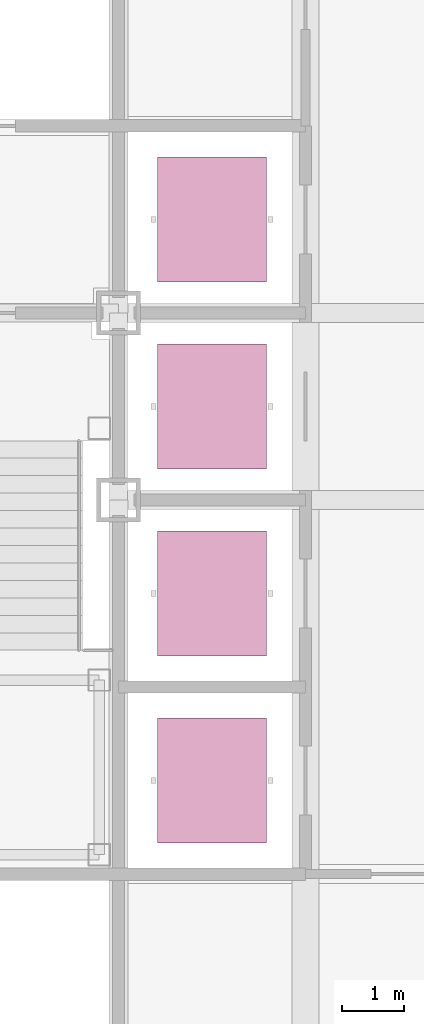
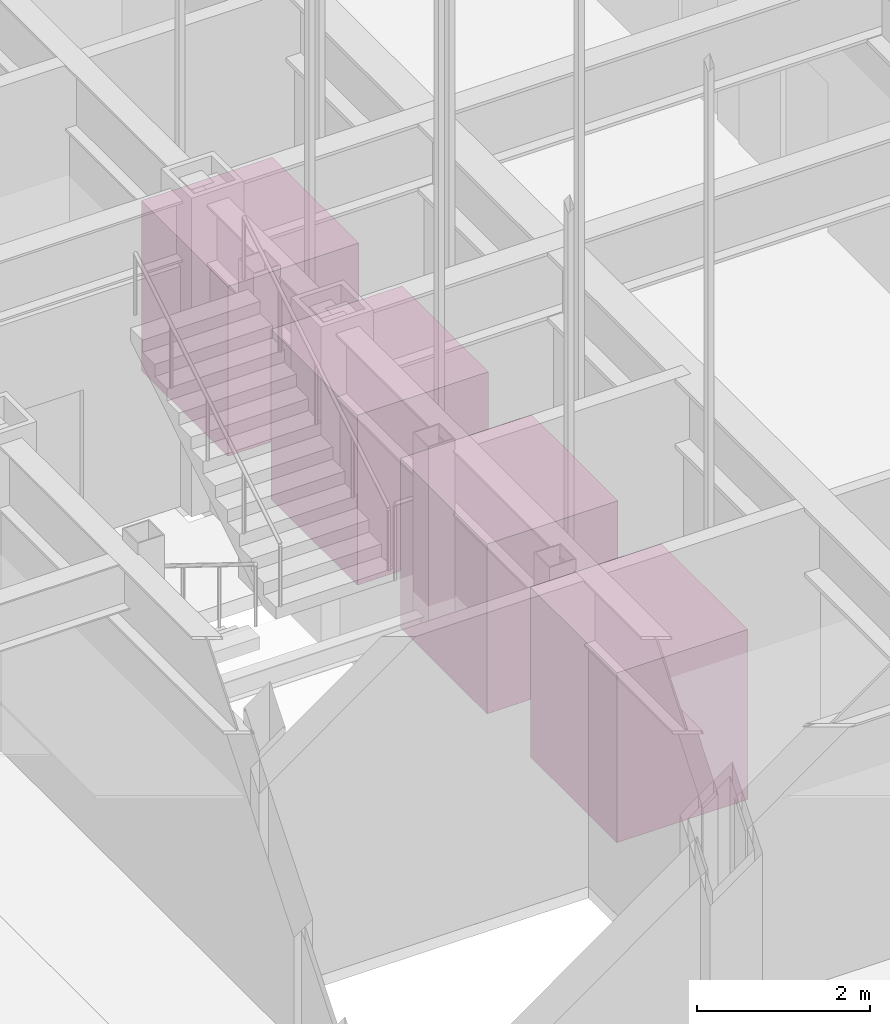
# One storey, part 18 of 26: 4 transport elements.
"""IFC4 building model written with IfcOpenShell, lengths in metres."""

from ifc_helpers import new_model, si_unit, direction, frame, origin, origin_2d, place, context, subcontext, project, spatial, rectangle, extrude, material, type_object, element, save


model = new_model("IFC4")

# Units and contexts
model_context = context("Model", 3, precision=1e-05, world=origin(), true_north=direction((0.0, 1.0)))
body_context = subcontext(model_context, "Body", "Model", "MODEL_VIEW")
ifc_project = project(units=[si_unit("LENGTHUNIT", "METRE"), si_unit("AREAUNIT", "SQUARE_METRE"), si_unit("VOLUMEUNIT", "CUBIC_METRE"), si_unit("PLANEANGLEUNIT", "RADIAN"), si_unit("MASSUNIT", "GRAM", prefix="KILO")], contexts=[model_context])

# Site, building, storey
site_placement = place(None, origin())
site = spatial("IfcSite", under=ifc_project, at=site_placement, CompositionType="ELEMENT")
building_placement = place(site_placement, origin())
building = spatial("IfcBuilding", under=site, at=building_placement, Name="Chuquiago Exchange Tower", CompositionType="ELEMENT")
storey_placement = place(building_placement, frame((0.0, 0.0, 102.300048828125)))
storey = spatial("IfcBuildingStorey", under=building, at=storey_placement, Name="L21", CompositionType="ELEMENT", Elevation=102.300048828125)

# Transport elements
ifc_material = material(Name="Lift car, stainless steel", Category="steel")
transport_element_type = type_object("IfcTransportElementType", Name="LP passenger lift 1600 kg", PredefinedType="ELEVATOR", material=ifc_material)
for number, where, z_axis, x_axis, name in (
    (1, (18.0, 16.5, 0.0), (0.0, 0.0, 1.0), (1.0, 0.0, 0.0), "Lift LB1"),
    (2, (18.0, 19.5, 0.0), (0.0, 0.0, 1.0), (1.0, 0.0, 0.0), "Lift LB2"),
    (3, (18.0, 22.5, 0.0), (0.0, 0.0, 1.0), (1.0, 0.0, 0.0), "Lift LB3"),
    (4, (18.0, 25.5, 0.0), (0.0, 0.0, 1.0), (1.0, 0.0, 0.0), "Lift LB4"),
):
    element("IfcTransportElement", number, at=place(storey_placement, frame(where, z_axis=z_axis, x_axis=x_axis)), inside=storey, type_object=transport_element_type, Name=name, PredefinedType="ELEVATOR", context=body_context, shape_type="SweptSolid", body=[
        extrude(rectangle(XDim=1.75, YDim=2.0, at=origin_2d()), origin(), (0.0, 0.0, 1.0), 2.39990234375),
    ])

save(model, "model.ifc")
